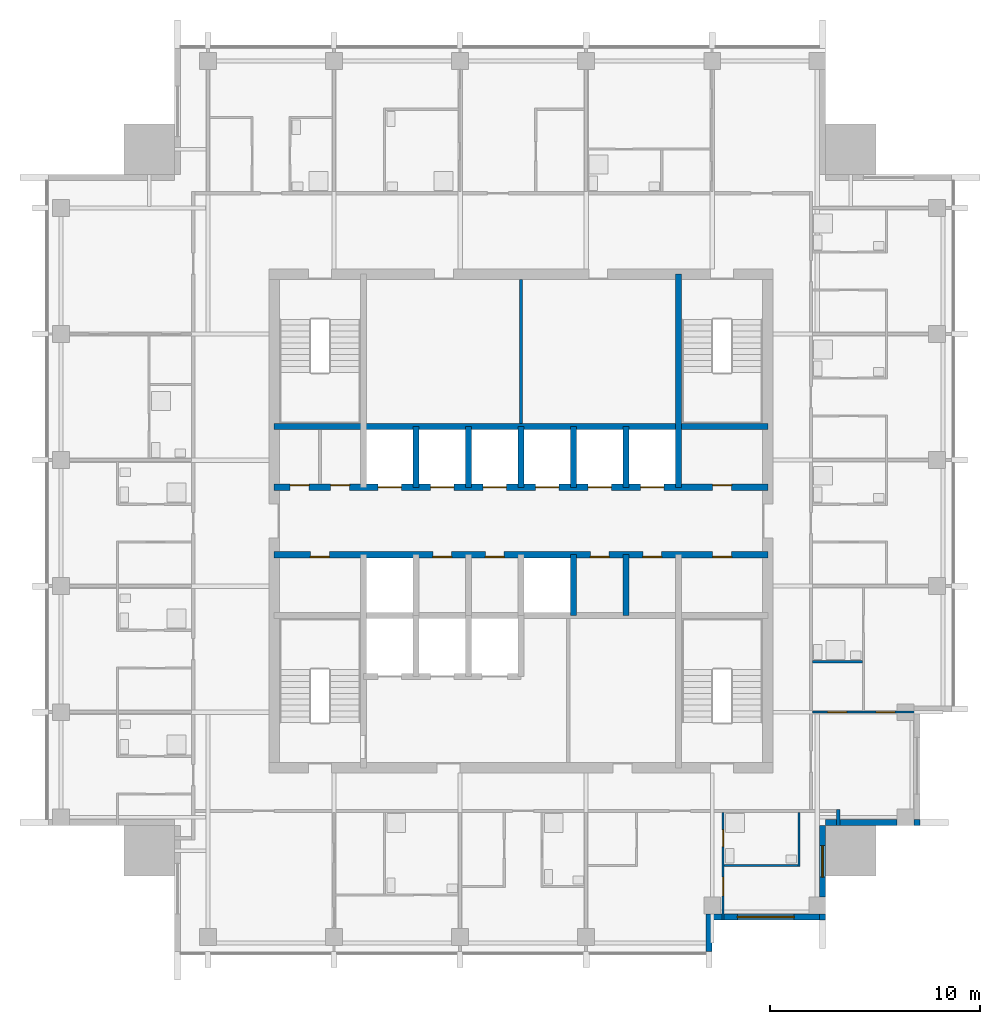
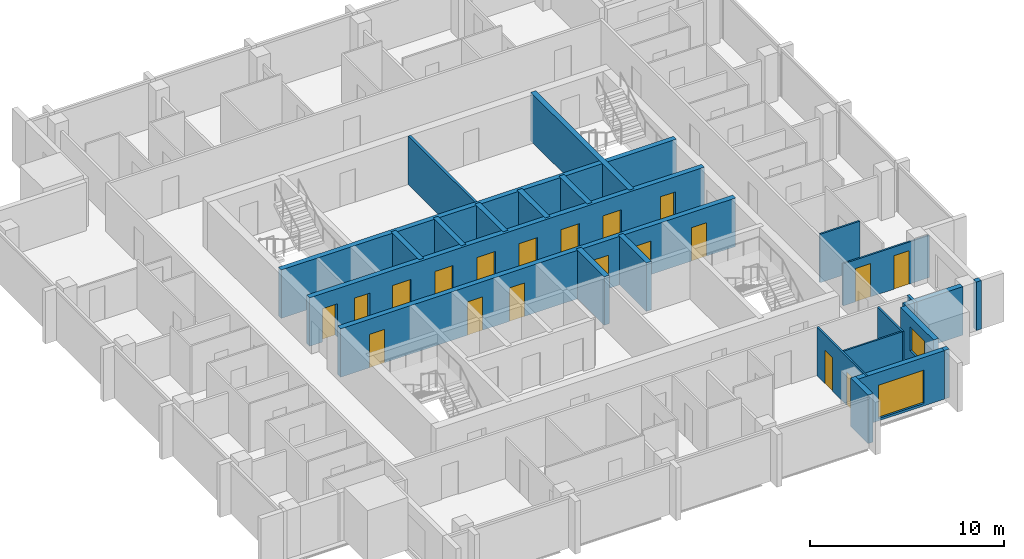
# One storey, part 5 of 9: 24 walls, 19 doors, 2 windows, 21 openings.
"""IFC4 building model written with IfcOpenShell, lengths in metres."""

from ifc_helpers import new_model, si_unit, direction, frame, frame_2d, origin, place, context, subcontext, project, spatial, rectangle, extrude, material, layer, layer_set, type_object, element, fill, save


model = new_model("IFC4")

# Units and contexts
model_context = context("Model", 3, precision=1e-05, world=origin(), true_north=direction((0.0, 1.0)))
body_context = subcontext(model_context, "Body", "Model", "MODEL_VIEW")
ifc_project = project(units=[si_unit("LENGTHUNIT", "METRE"), si_unit("AREAUNIT", "SQUARE_METRE"), si_unit("VOLUMEUNIT", "CUBIC_METRE"), si_unit("PLANEANGLEUNIT", "RADIAN"), si_unit("MASSUNIT", "GRAM", prefix="KILO")], contexts=[model_context])

# Site, building, storey
site_placement = place(None, origin())
site = spatial("IfcSite", under=ifc_project, at=site_placement, CompositionType="ELEMENT")
building_placement = place(site_placement, origin())
building = spatial("IfcBuilding", under=site, at=building_placement, Name="Amberfall Residences", CompositionType="ELEMENT")
storey_placement = place(building_placement, frame((0.0, 0.0, 242.199951171875)))
storey = spatial("IfcBuildingStorey", under=building, at=storey_placement, Name="L64", CompositionType="ELEMENT", Elevation=242.199951171875)

# Walls
ifc_material_1 = material(Name="Pale stone cladding on insulated backing", Category="masonry")
ifc_layer_1 = layer(ifc_material_1, 0.300048828125)
ifc_layer_set_1 = layer_set([ifc_layer_1], Name="Bronze clad wall 300")
wall_type_1 = type_object("IfcWallType", Name="Bronze clad wall 300", PredefinedType="SOLIDWALL", material=ifc_layer_set_1)
wall_1_placement = place(storey_placement, frame((83.449951171875, 25.0, 0.0), z_axis=(0.0, 0.0, 1.0), x_axis=(0.0, 1.0, 0.0)))
element("IfcWall", 1, at=wall_1_placement, inside=storey, type_object=wall_type_1, Name="External wall L64 S", PredefinedType="SOLIDWALL", context=body_context, shape_type="SweptSolid", body=[
    extrude(rectangle(XDim=1.800048828125, YDim=0.300048828125, at=frame_2d((0.89990234375, 0.0))), origin(), (0.0, 0.0, 1.0), 3.050048828125),
])
wall_2_placement = place(storey_placement, frame((88.85009765625, 26.5, 0.0), z_axis=(0.0, 0.0, 1.0), x_axis=(0.0, 1.0, 0.0)))
element("IfcWall", 2, at=wall_2_placement, inside=storey, type_object=wall_type_1, Name="External wall L64 SE", PredefinedType="SOLIDWALL", context=body_context, shape_type="SweptSolid", body=[
    extrude(rectangle(XDim=0.300048828125, YDim=0.300048828125, at=frame_2d((0.14990234375, 0.0))), origin(), (0.0, 0.0, 1.0), 3.050048828125),
])

# Wall, opening, window
wall_3_placement = place(storey_placement, frame((88.85009765625, 27.60009765625, 0.0), z_axis=(0.0, 0.0, 1.0), x_axis=(0.0, 1.0, 0.0)))
wall_3 = element("IfcWall", 3, at=wall_3_placement, inside=storey, type_object=wall_type_1, Name="External wall L64 SE", PredefinedType="SOLIDWALL", context=body_context, shape_type="SweptSolid", body=[
    extrude(rectangle(XDim=3.39990234375, YDim=0.300048828125, at=frame_2d((1.699951171875, 0.0))), origin(), (0.0, 0.0, 1.0), 3.050048828125),
])
opening_1_placement = place(wall_3_placement, frame((0.949951171875, 0.0, 0.89990234375)))
opening_1 = element("IfcOpeningElement", 4, at=opening_1_placement, cuts=wall_3, Name="Opening WN1", PredefinedType="OPENING", context=body_context, shape_type="SweptSolid", body=[
    extrude(rectangle(XDim=1.5, YDim=1.5, at=frame_2d((0.75, 0.75))), frame((0.0, 0.159912109375, 0.0), z_axis=(0.0, -1.0, 0.0), x_axis=(1.0, 0.0, 0.0)), (0.0, 0.0, 1.0), 0.320068359375),
])
ifc_material_2 = material(Name="Bronze aluminium framed glazing", Category="aluminium")
window_type_1 = type_object("IfcWindowType", Name="Window 1500 x 1500 bronze", PartitioningType="DOUBLE_PANEL_VERTICAL", PredefinedType="WINDOW", material=ifc_material_2)
window_1_placement = place(opening_1_placement, origin())
window_1 = element("IfcWindow", 5, at=window_1_placement, inside=storey, type_object=window_type_1, Name="Window L64 SE", OverallHeight=1.5, OverallWidth=1.5, PartitioningType="DOUBLE_PANEL_VERTICAL", PredefinedType="WINDOW", context=body_context, shape_type="SweptSolid", body=[
    extrude(rectangle(XDim=1.5, YDim=1.5, at=frame_2d((0.75, 0.75))), frame((0.0, 0.030029296875, 0.0), z_axis=(0.0, -1.0, 0.0), x_axis=(1.0, 0.0, 0.0)), (0.0, 0.0, 1.0), 0.06005859375),
])
fill(opening_1, window_1)

# Walls
wall_4_placement = place(storey_placement, frame((89.0, 31.14990234375, 0.0), z_axis=(0.0, 0.0, 1.0), x_axis=(1.0, 0.0, 0.0)))
element("IfcWall", 6, at=wall_4_placement, inside=storey, type_object=wall_type_1, Name="External wall L64 SE", PredefinedType="SOLIDWALL", context=body_context, shape_type="SweptSolid", body=[
    extrude(rectangle(XDim=3.39990234375, YDim=0.300048828125, at=frame_2d((1.699951171875, 0.0))), origin(), (0.0, 0.0, 1.0), 3.050048828125),
])
wall_5_placement = place(storey_placement, frame((93.199951171875, 31.14990234375, 0.0), z_axis=(0.0, 0.0, 1.0), x_axis=(1.0, 0.0, 0.0)))
element("IfcWall", 7, at=wall_5_placement, inside=storey, type_object=wall_type_1, Name="External wall L64 SE", PredefinedType="SOLIDWALL", context=body_context, shape_type="SweptSolid", body=[
    extrude(rectangle(XDim=0.300048828125, YDim=0.300048828125, at=frame_2d((0.14990234375, 0.0))), origin(), (0.0, 0.0, 1.0), 3.050048828125),
])

# Wall, opening, window
wall_6_placement = place(storey_placement, frame((83.60009765625, 26.64990234375, 0.0), z_axis=(0.0, 0.0, 1.0), x_axis=(1.0, 0.0, 0.0)))
wall_6 = element("IfcWall", 8, at=wall_6_placement, inside=storey, type_object=wall_type_1, Name="Stone wall L64 S", PredefinedType="SOLIDWALL", context=body_context, shape_type="SweptSolid", body=[
    extrude(rectangle(XDim=5.099853515625, YDim=0.300048828125, at=frame_2d((2.5498046875, 0.0))), origin(), (0.0, 0.0, 1.0), 3.050048828125),
])
opening_2_placement = place(wall_6_placement, frame((1.199951171875, 0.0, 0.14990234375)))
opening_2 = element("IfcOpeningElement", 9, at=opening_2_placement, cuts=wall_6, Name="Opening WN4", PredefinedType="OPENING", context=body_context, shape_type="SweptSolid", body=[
    extrude(rectangle(XDim=2.699951171875, YDim=2.10009765625, at=frame_2d((1.35009765625, 1.050048828125))), frame((0.0, 0.159912109375, 0.0), z_axis=(0.0, -1.0, 0.0), x_axis=(1.0, 0.0, 0.0)), (0.0, 0.0, 1.0), 0.320068359375),
])
window_type_2 = type_object("IfcWindowType", Name="Glazed opening 2700 x 2100 bronze", PartitioningType="DOUBLE_PANEL_VERTICAL", PredefinedType="WINDOW", material=ifc_material_2)
window_2_placement = place(opening_2_placement, origin())
window_2 = element("IfcWindow", 10, at=window_2_placement, inside=storey, type_object=window_type_2, Name="Window L64 S", OverallHeight=2.10009765625, OverallWidth=2.699951171875, PartitioningType="DOUBLE_PANEL_VERTICAL", PredefinedType="WINDOW", context=body_context, shape_type="SweptSolid", body=[
    extrude(rectangle(XDim=2.699951171875, YDim=2.10009765625, at=frame_2d((1.35009765625, 1.050048828125))), frame((0.0, 0.030029296875, 0.0), z_axis=(0.0, -1.0, 0.0), x_axis=(1.0, 0.0, 0.0)), (0.0, 0.0, 1.0), 0.06005859375),
])
fill(opening_2, window_2)

# Wall, openings, doors
ifc_material_3 = material(Name="Concrete C50", Category="concrete")
ifc_layer_2 = layer(ifc_material_3, 0.300048828125)
ifc_layer_set_2 = layer_set([ifc_layer_2], Name="Core wall 300 C50")
wall_type_2 = type_object("IfcWallType", Name="Core wall 300 C50", PredefinedType="SHEAR", material=ifc_layer_set_2)
wall_7_placement = place(storey_placement, frame((62.75, 43.89990234375, 0.0), z_axis=(0.0, 0.0, 1.0), x_axis=(1.0, 0.0, 0.0)))
wall_7 = element("IfcWall", 11, at=wall_7_placement, inside=storey, type_object=wall_type_2, Name="Core wall RW10 L64 H104", PredefinedType="SHEAR", context=body_context, shape_type="SweptSolid", body=[
    extrude(rectangle(XDim=23.5, YDim=0.300048828125, at=frame_2d((11.75, 0.0))), origin(), (0.0, 0.0, 1.0), 3.050048828125),
])
opening_3_placement = place(wall_7_placement, frame((1.72509765625, 0.0, 0.0)))
opening_3 = element("IfcOpeningElement", 12, at=opening_3_placement, cuts=wall_7, Name="Opening RD1", PredefinedType="OPENING", context=body_context, shape_type="SweptSolid", body=[
    extrude(rectangle(XDim=0.89990234375, YDim=2.10009765625, at=frame_2d((0.449951171875, 1.050048828125))), frame((0.0, 0.159912109375, 0.0), z_axis=(0.0, -1.0, 0.0), x_axis=(1.0, 0.0, 0.0)), (0.0, 0.0, 1.0), 0.320068359375),
])
opening_4_placement = place(wall_7_placement, frame((20.875, 0.0, 0.0)))
opening_4 = element("IfcOpeningElement", 13, at=opening_4_placement, cuts=wall_7, Name="Opening RD1", PredefinedType="OPENING", context=body_context, shape_type="SweptSolid", body=[
    extrude(rectangle(XDim=0.89990234375, YDim=2.10009765625, at=frame_2d((0.449951171875, 1.050048828125))), frame((0.0, 0.159912109375, 0.0), z_axis=(0.0, -1.0, 0.0), x_axis=(1.0, 0.0, 0.0)), (0.0, 0.0, 1.0), 0.320068359375),
])
opening_5_placement = place(wall_7_placement, frame((7.550048828125, 0.0, 0.0)))
opening_5 = element("IfcOpeningElement", 14, at=opening_5_placement, cuts=wall_7, Name="Opening RD1", PredefinedType="OPENING", context=body_context, shape_type="SweptSolid", body=[
    extrude(rectangle(XDim=0.89990234375, YDim=2.10009765625, at=frame_2d((0.449951171875, 1.050048828125))), frame((0.0, 0.159912109375, 0.0), z_axis=(0.0, -1.0, 0.0), x_axis=(1.0, 0.0, 0.0)), (0.0, 0.0, 1.0), 0.320068359375),
])
opening_6_placement = place(wall_7_placement, frame((10.050048828125, 0.0, 0.0)))
opening_6 = element("IfcOpeningElement", 15, at=opening_6_placement, cuts=wall_7, Name="Opening RD1", PredefinedType="OPENING", context=body_context, shape_type="SweptSolid", body=[
    extrude(rectangle(XDim=0.89990234375, YDim=2.10009765625, at=frame_2d((0.449951171875, 1.050048828125))), frame((0.0, 0.159912109375, 0.0), z_axis=(0.0, -1.0, 0.0), x_axis=(1.0, 0.0, 0.0)), (0.0, 0.0, 1.0), 0.320068359375),
])
opening_7_placement = place(wall_7_placement, frame((15.050048828125, 0.0, 0.0)))
opening_7 = element("IfcOpeningElement", 16, at=opening_7_placement, cuts=wall_7, Name="Opening RD1", PredefinedType="OPENING", context=body_context, shape_type="SweptSolid", body=[
    extrude(rectangle(XDim=0.89990234375, YDim=2.10009765625, at=frame_2d((0.449951171875, 1.050048828125))), frame((0.0, 0.159912109375, 0.0), z_axis=(0.0, -1.0, 0.0), x_axis=(1.0, 0.0, 0.0)), (0.0, 0.0, 1.0), 0.320068359375),
])
opening_8_placement = place(wall_7_placement, frame((17.550048828125, 0.0, 0.0)))
opening_8 = element("IfcOpeningElement", 17, at=opening_8_placement, cuts=wall_7, Name="Opening RD1", PredefinedType="OPENING", context=body_context, shape_type="SweptSolid", body=[
    extrude(rectangle(XDim=0.89990234375, YDim=2.10009765625, at=frame_2d((0.449951171875, 1.050048828125))), frame((0.0, 0.159912109375, 0.0), z_axis=(0.0, -1.0, 0.0), x_axis=(1.0, 0.0, 0.0)), (0.0, 0.0, 1.0), 0.320068359375),
])
ifc_material_4 = material(Name="Steel fire door set", Category="steel")
door_type_1 = type_object("IfcDoorType", Name="Service room door 900 x 2100", OperationType="SINGLE_SWING_LEFT", PredefinedType="DOOR", material=ifc_material_4)
door_1_placement = place(opening_3_placement, origin())
door_1 = element("IfcDoor", 18, at=door_1_placement, inside=storey, type_object=door_type_1, Name="RD1 L64", OperationType="SINGLE_SWING_LEFT", OverallHeight=2.10009765625, OverallWidth=0.89990234375, PredefinedType="DOOR", context=body_context, shape_type="SweptSolid", body=[
    extrude(rectangle(XDim=0.89990234375, YDim=2.10009765625, at=frame_2d((0.449951171875, 1.050048828125))), frame((0.0, -0.08740234375, 0.0), z_axis=(0.0, -1.0, 0.0), x_axis=(1.0, 0.0, 0.0)), (0.0, 0.0, 1.0), 0.050048828125),
])
fill(opening_3, door_1)
door_2_placement = place(opening_4_placement, origin())
door_2 = element("IfcDoor", 19, at=door_2_placement, inside=storey, type_object=door_type_1, Name="RD1 L64", OperationType="SINGLE_SWING_LEFT", OverallHeight=2.10009765625, OverallWidth=0.89990234375, PredefinedType="DOOR", context=body_context, shape_type="SweptSolid", body=[
    extrude(rectangle(XDim=0.89990234375, YDim=2.10009765625, at=frame_2d((0.449951171875, 1.050048828125))), frame((0.0, -0.08740234375, 0.0), z_axis=(0.0, -1.0, 0.0), x_axis=(1.0, 0.0, 0.0)), (0.0, 0.0, 1.0), 0.050048828125),
])
fill(opening_4, door_2)
door_3_placement = place(opening_5_placement, origin())
door_3 = element("IfcDoor", 20, at=door_3_placement, inside=storey, type_object=door_type_1, Name="RD1 L64", OperationType="SINGLE_SWING_LEFT", OverallHeight=2.10009765625, OverallWidth=0.89990234375, PredefinedType="DOOR", context=body_context, shape_type="SweptSolid", body=[
    extrude(rectangle(XDim=0.89990234375, YDim=2.10009765625, at=frame_2d((0.449951171875, 1.050048828125))), frame((0.0, -0.08740234375, 0.0), z_axis=(0.0, -1.0, 0.0), x_axis=(1.0, 0.0, 0.0)), (0.0, 0.0, 1.0), 0.050048828125),
])
fill(opening_5, door_3)
door_4_placement = place(opening_6_placement, origin())
door_4 = element("IfcDoor", 21, at=door_4_placement, inside=storey, type_object=door_type_1, Name="RD1 L64", OperationType="SINGLE_SWING_RIGHT", OverallHeight=2.10009765625, OverallWidth=0.89990234375, PredefinedType="DOOR", context=body_context, shape_type="SweptSolid", body=[
    extrude(rectangle(XDim=0.89990234375, YDim=2.10009765625, at=frame_2d((0.449951171875, 1.050048828125))), frame((0.0, -0.08740234375, 0.0), z_axis=(0.0, -1.0, 0.0), x_axis=(1.0, 0.0, 0.0)), (0.0, 0.0, 1.0), 0.050048828125),
])
fill(opening_6, door_4)
door_5_placement = place(opening_7_placement, origin())
door_5 = element("IfcDoor", 22, at=door_5_placement, inside=storey, type_object=door_type_1, Name="RD1 L64", OperationType="SINGLE_SWING_RIGHT", OverallHeight=2.10009765625, OverallWidth=0.89990234375, PredefinedType="DOOR", context=body_context, shape_type="SweptSolid", body=[
    extrude(rectangle(XDim=0.89990234375, YDim=2.10009765625, at=frame_2d((0.449951171875, 1.050048828125))), frame((0.0, -0.08740234375, 0.0), z_axis=(0.0, -1.0, 0.0), x_axis=(1.0, 0.0, 0.0)), (0.0, 0.0, 1.0), 0.050048828125),
])
fill(opening_7, door_5)
door_6_placement = place(opening_8_placement, origin())
door_6 = element("IfcDoor", 23, at=door_6_placement, inside=storey, type_object=door_type_1, Name="RD1 L64", OperationType="SINGLE_SWING_LEFT", OverallHeight=2.10009765625, OverallWidth=0.89990234375, PredefinedType="DOOR", context=body_context, shape_type="SweptSolid", body=[
    extrude(rectangle(XDim=0.89990234375, YDim=2.10009765625, at=frame_2d((0.449951171875, 1.050048828125))), frame((0.0, -0.08740234375, 0.0), z_axis=(0.0, -1.0, 0.0), x_axis=(1.0, 0.0, 0.0)), (0.0, 0.0, 1.0), 0.050048828125),
])
fill(opening_8, door_6)

wall_8_placement = place(storey_placement, frame((62.75, 47.10009765625, 0.0), z_axis=(0.0, 0.0, 1.0), x_axis=(1.0, 0.0, 0.0)))
wall_8 = element("IfcWall", 24, at=wall_8_placement, inside=storey, type_object=wall_type_2, Name="Core wall RW10 L64 H136", PredefinedType="SHEAR", context=body_context, shape_type="SweptSolid", body=[
    extrude(rectangle(XDim=23.5, YDim=0.300048828125, at=frame_2d((11.75, 0.0))), origin(), (0.0, 0.0, 1.0), 3.050048828125),
])
opening_9_placement = place(wall_8_placement, frame((0.762451171875, 0.0, 0.0)))
opening_9 = element("IfcOpeningElement", 25, at=opening_9_placement, cuts=wall_8, Name="Opening RD1", PredefinedType="OPENING", context=body_context, shape_type="SweptSolid", body=[
    extrude(rectangle(XDim=0.89990234375, YDim=2.10009765625, at=frame_2d((0.449951171875, 1.050048828125))), frame((0.0, 0.159912109375, 0.0), z_axis=(0.0, -1.0, 0.0), x_axis=(1.0, 0.0, 0.0)), (0.0, 0.0, 1.0), 0.320068359375),
])
opening_10_placement = place(wall_8_placement, frame((2.6875, 0.0, 0.0)))
opening_10 = element("IfcOpeningElement", 26, at=opening_10_placement, cuts=wall_8, Name="Opening RD1", PredefinedType="OPENING", context=body_context, shape_type="SweptSolid", body=[
    extrude(rectangle(XDim=0.89990234375, YDim=2.10009765625, at=frame_2d((0.449951171875, 1.050048828125))), frame((0.0, 0.159912109375, 0.0), z_axis=(0.0, -1.0, 0.0), x_axis=(1.0, 0.0, 0.0)), (0.0, 0.0, 1.0), 0.320068359375),
])
opening_11_placement = place(wall_8_placement, frame((20.875, 0.0, 0.0)))
opening_11 = element("IfcOpeningElement", 27, at=opening_11_placement, cuts=wall_8, Name="Opening RD1", PredefinedType="OPENING", context=body_context, shape_type="SweptSolid", body=[
    extrude(rectangle(XDim=0.89990234375, YDim=2.10009765625, at=frame_2d((0.449951171875, 1.050048828125))), frame((0.0, 0.159912109375, 0.0), z_axis=(0.0, -1.0, 0.0), x_axis=(1.0, 0.0, 0.0)), (0.0, 0.0, 1.0), 0.320068359375),
])
opening_12_placement = place(wall_8_placement, frame((4.949951171875, 0.0, 0.0)))
opening_12 = element("IfcOpeningElement", 28, at=opening_12_placement, cuts=wall_8, Name="Opening LD1", PredefinedType="OPENING", context=body_context, shape_type="SweptSolid", body=[
    extrude(rectangle(XDim=1.10009765625, YDim=2.10009765625, at=frame_2d((0.550048828125, 1.050048828125))), frame((0.0, 0.159912109375, 0.0), z_axis=(0.0, -1.0, 0.0), x_axis=(1.0, 0.0, 0.0)), (0.0, 0.0, 1.0), 0.320068359375),
])
opening_13_placement = place(wall_8_placement, frame((7.449951171875, 0.0, 0.0)))
opening_13 = element("IfcOpeningElement", 29, at=opening_13_placement, cuts=wall_8, Name="Opening LD1", PredefinedType="OPENING", context=body_context, shape_type="SweptSolid", body=[
    extrude(rectangle(XDim=1.10009765625, YDim=2.10009765625, at=frame_2d((0.550048828125, 1.050048828125))), frame((0.0, 0.159912109375, 0.0), z_axis=(0.0, -1.0, 0.0), x_axis=(1.0, 0.0, 0.0)), (0.0, 0.0, 1.0), 0.320068359375),
])
opening_14_placement = place(wall_8_placement, frame((9.949951171875, 0.0, 0.0)))
opening_14 = element("IfcOpeningElement", 30, at=opening_14_placement, cuts=wall_8, Name="Opening LD1", PredefinedType="OPENING", context=body_context, shape_type="SweptSolid", body=[
    extrude(rectangle(XDim=1.10009765625, YDim=2.10009765625, at=frame_2d((0.550048828125, 1.050048828125))), frame((0.0, 0.159912109375, 0.0), z_axis=(0.0, -1.0, 0.0), x_axis=(1.0, 0.0, 0.0)), (0.0, 0.0, 1.0), 0.320068359375),
])
opening_15_placement = place(wall_8_placement, frame((12.449951171875, 0.0, 0.0)))
opening_15 = element("IfcOpeningElement", 31, at=opening_15_placement, cuts=wall_8, Name="Opening LD1", PredefinedType="OPENING", context=body_context, shape_type="SweptSolid", body=[
    extrude(rectangle(XDim=1.10009765625, YDim=2.10009765625, at=frame_2d((0.550048828125, 1.050048828125))), frame((0.0, 0.159912109375, 0.0), z_axis=(0.0, -1.0, 0.0), x_axis=(1.0, 0.0, 0.0)), (0.0, 0.0, 1.0), 0.320068359375),
])
opening_16_placement = place(wall_8_placement, frame((14.949951171875, 0.0, 0.0)))
opening_16 = element("IfcOpeningElement", 32, at=opening_16_placement, cuts=wall_8, Name="Opening LD1", PredefinedType="OPENING", context=body_context, shape_type="SweptSolid", body=[
    extrude(rectangle(XDim=1.10009765625, YDim=2.10009765625, at=frame_2d((0.550048828125, 1.050048828125))), frame((0.0, 0.159912109375, 0.0), z_axis=(0.0, -1.0, 0.0), x_axis=(1.0, 0.0, 0.0)), (0.0, 0.0, 1.0), 0.320068359375),
])
opening_17_placement = place(wall_8_placement, frame((17.449951171875, 0.0, 0.0)))
opening_17 = element("IfcOpeningElement", 33, at=opening_17_placement, cuts=wall_8, Name="Opening LD1", PredefinedType="OPENING", context=body_context, shape_type="SweptSolid", body=[
    extrude(rectangle(XDim=1.10009765625, YDim=2.10009765625, at=frame_2d((0.550048828125, 1.050048828125))), frame((0.0, 0.159912109375, 0.0), z_axis=(0.0, -1.0, 0.0), x_axis=(1.0, 0.0, 0.0)), (0.0, 0.0, 1.0), 0.320068359375),
])
door_type_2 = type_object("IfcDoorType", Name="Lift landing door 1100 x 2100", OperationType="DOUBLE_DOOR_SLIDING", PredefinedType="DOOR", material=ifc_material_4)
door_7_placement = place(opening_12_placement, origin())
door_7 = element("IfcDoor", 34, at=door_7_placement, inside=storey, type_object=door_type_2, Name="Landing door HP1 L64", OperationType="DOUBLE_DOOR_SLIDING", OverallHeight=2.10009765625, OverallWidth=1.10009765625, PredefinedType="DOOR", context=body_context, shape_type="SweptSolid", body=[
    extrude(rectangle(XDim=1.10009765625, YDim=2.10009765625, at=frame_2d((0.550048828125, 1.050048828125))), frame((0.0, 0.02490234375, 0.0), z_axis=(0.0, -1.0, 0.0), x_axis=(1.0, 0.0, 0.0)), (0.0, 0.0, 1.0), 0.050048828125),
])
fill(opening_12, door_7)
door_8_placement = place(opening_13_placement, origin())
door_8 = element("IfcDoor", 35, at=door_8_placement, inside=storey, type_object=door_type_2, Name="Landing door HP2 L64", OperationType="DOUBLE_DOOR_SLIDING", OverallHeight=2.10009765625, OverallWidth=1.10009765625, PredefinedType="DOOR", context=body_context, shape_type="SweptSolid", body=[
    extrude(rectangle(XDim=1.10009765625, YDim=2.10009765625, at=frame_2d((0.550048828125, 1.050048828125))), frame((0.0, 0.02490234375, 0.0), z_axis=(0.0, -1.0, 0.0), x_axis=(1.0, 0.0, 0.0)), (0.0, 0.0, 1.0), 0.050048828125),
])
fill(opening_13, door_8)
door_9_placement = place(opening_14_placement, origin())
door_9 = element("IfcDoor", 36, at=door_9_placement, inside=storey, type_object=door_type_2, Name="Landing door HP3 L64", OperationType="DOUBLE_DOOR_SLIDING", OverallHeight=2.10009765625, OverallWidth=1.10009765625, PredefinedType="DOOR", context=body_context, shape_type="SweptSolid", body=[
    extrude(rectangle(XDim=1.10009765625, YDim=2.10009765625, at=frame_2d((0.550048828125, 1.050048828125))), frame((0.0, 0.02490234375, 0.0), z_axis=(0.0, -1.0, 0.0), x_axis=(1.0, 0.0, 0.0)), (0.0, 0.0, 1.0), 0.050048828125),
])
fill(opening_14, door_9)
door_10_placement = place(opening_15_placement, origin())
door_10 = element("IfcDoor", 37, at=door_10_placement, inside=storey, type_object=door_type_2, Name="Landing door HP4 L64", OperationType="DOUBLE_DOOR_SLIDING", OverallHeight=2.10009765625, OverallWidth=1.10009765625, PredefinedType="DOOR", context=body_context, shape_type="SweptSolid", body=[
    extrude(rectangle(XDim=1.10009765625, YDim=2.10009765625, at=frame_2d((0.550048828125, 1.050048828125))), frame((0.0, 0.02490234375, 0.0), z_axis=(0.0, -1.0, 0.0), x_axis=(1.0, 0.0, 0.0)), (0.0, 0.0, 1.0), 0.050048828125),
])
fill(opening_15, door_10)
door_11_placement = place(opening_16_placement, origin())
door_11 = element("IfcDoor", 38, at=door_11_placement, inside=storey, type_object=door_type_2, Name="Landing door HP5 L64", OperationType="DOUBLE_DOOR_SLIDING", OverallHeight=2.10009765625, OverallWidth=1.10009765625, PredefinedType="DOOR", context=body_context, shape_type="SweptSolid", body=[
    extrude(rectangle(XDim=1.10009765625, YDim=2.10009765625, at=frame_2d((0.550048828125, 1.050048828125))), frame((0.0, 0.02490234375, 0.0), z_axis=(0.0, -1.0, 0.0), x_axis=(1.0, 0.0, 0.0)), (0.0, 0.0, 1.0), 0.050048828125),
])
fill(opening_16, door_11)
door_12_placement = place(opening_17_placement, origin())
door_12 = element("IfcDoor", 39, at=door_12_placement, inside=storey, type_object=door_type_2, Name="Landing door HP6 L64", OperationType="DOUBLE_DOOR_SLIDING", OverallHeight=2.10009765625, OverallWidth=1.10009765625, PredefinedType="DOOR", context=body_context, shape_type="SweptSolid", body=[
    extrude(rectangle(XDim=1.10009765625, YDim=2.10009765625, at=frame_2d((0.550048828125, 1.050048828125))), frame((0.0, 0.02490234375, 0.0), z_axis=(0.0, -1.0, 0.0), x_axis=(1.0, 0.0, 0.0)), (0.0, 0.0, 1.0), 0.050048828125),
])
fill(opening_17, door_12)
door_13_placement = place(opening_9_placement, origin())
door_13 = element("IfcDoor", 40, at=door_13_placement, inside=storey, type_object=door_type_1, Name="RD1 L64", OperationType="SINGLE_SWING_LEFT", OverallHeight=2.10009765625, OverallWidth=0.89990234375, PredefinedType="DOOR", context=body_context, shape_type="SweptSolid", body=[
    extrude(rectangle(XDim=0.89990234375, YDim=2.10009765625, at=frame_2d((0.449951171875, 1.050048828125))), frame((0.0, 0.1376953125, 0.0), z_axis=(0.0, -1.0, 0.0), x_axis=(1.0, 0.0, 0.0)), (0.0, 0.0, 1.0), 0.050048828125),
])
fill(opening_9, door_13)
door_14_placement = place(opening_10_placement, origin())
door_14 = element("IfcDoor", 41, at=door_14_placement, inside=storey, type_object=door_type_1, Name="RD1 L64", OperationType="SINGLE_SWING_RIGHT", OverallHeight=2.10009765625, OverallWidth=0.89990234375, PredefinedType="DOOR", context=body_context, shape_type="SweptSolid", body=[
    extrude(rectangle(XDim=0.89990234375, YDim=2.10009765625, at=frame_2d((0.449951171875, 1.050048828125))), frame((0.0, 0.1376953125, 0.0), z_axis=(0.0, -1.0, 0.0), x_axis=(1.0, 0.0, 0.0)), (0.0, 0.0, 1.0), 0.050048828125),
])
fill(opening_10, door_14)
door_15_placement = place(opening_11_placement, origin())
door_15 = element("IfcDoor", 42, at=door_15_placement, inside=storey, type_object=door_type_1, Name="RD1 L64", OperationType="SINGLE_SWING_LEFT", OverallHeight=2.10009765625, OverallWidth=0.89990234375, PredefinedType="DOOR", context=body_context, shape_type="SweptSolid", body=[
    extrude(rectangle(XDim=0.89990234375, YDim=2.10009765625, at=frame_2d((0.449951171875, 1.050048828125))), frame((0.0, 0.1376953125, 0.0), z_axis=(0.0, -1.0, 0.0), x_axis=(1.0, 0.0, 0.0)), (0.0, 0.0, 1.0), 0.050048828125),
])
fill(opening_11, door_15)

# Walls
wall_9_placement = place(storey_placement, frame((62.75, 50.0, 0.0), z_axis=(0.0, 0.0, 1.0), x_axis=(1.0, 0.0, 0.0)))
element("IfcWall", 43, at=wall_9_placement, inside=storey, type_object=wall_type_2, Name="Core wall RW10 L64 H165", PredefinedType="SHEAR", context=body_context, shape_type="SweptSolid", body=[
    extrude(rectangle(XDim=23.5, YDim=0.300048828125, at=frame_2d((11.75, 0.0))), origin(), (0.0, 0.0, 1.0), 3.050048828125),
])
wall_10_placement = place(storey_placement, frame((82.0, 47.10009765625, 0.0), z_axis=(0.0, 0.0, 1.0), x_axis=(0.0, 1.0, 0.0)))
element("IfcWall", 44, at=wall_10_placement, inside=storey, type_object=wall_type_2, Name="Core wall RW10 L64 V195N", PredefinedType="SHEAR", context=body_context, shape_type="SweptSolid", body=[
    extrude(rectangle(XDim=10.14990234375, YDim=0.300048828125, at=frame_2d((5.074951171875, 0.0))), origin(), (0.0, 0.0, 1.0), 3.050048828125),
])
for number, where, z_axis, x_axis, name in (
    (45, (69.5, 47.10009765625, 0.0), (0.0, 0.0, 1.0), (0.0, 1.0, 0.0), "Core wall RW10 L64 HPD1"),
    (46, (72.0, 47.10009765625, 0.0), (0.0, 0.0, 1.0), (0.0, 1.0, 0.0), "Core wall RW10 L64 HPD2"),
    (47, (74.5, 47.10009765625, 0.0), (0.0, 0.0, 1.0), (0.0, 1.0, 0.0), "Core wall RW10 L64 HPD3"),
    (48, (77.0, 41.0, 0.0), (0.0, 0.0, 1.0), (0.0, 1.0, 0.0), "Core wall RW10 L64 LPD4"),
    (49, (77.0, 47.10009765625, 0.0), (0.0, 0.0, 1.0), (0.0, 1.0, 0.0), "Core wall RW10 L64 HPD4"),
    (50, (79.5, 41.0, 0.0), (0.0, 0.0, 1.0), (0.0, 1.0, 0.0), "Core wall RW10 L64 LPD5"),
    (51, (79.5, 47.10009765625, 0.0), (0.0, 0.0, 1.0), (0.0, 1.0, 0.0), "Core wall RW10 L64 HPD5"),
):
    element("IfcWall", number, at=place(storey_placement, frame(where, z_axis=z_axis, x_axis=x_axis)), inside=storey, type_object=wall_type_2, Name=name, PredefinedType="SHEAR", context=body_context, shape_type="SweptSolid", body=[
        extrude(rectangle(XDim=2.89990234375, YDim=0.300048828125, at=frame_2d((1.449951171875, 0.0))), origin(), (0.0, 0.0, 1.0), 3.050048828125),
    ])

# Wall, openings, doors
ifc_material_5 = material(Name="Gypsum board on metal stud")
ifc_layer_3 = layer(ifc_material_5, 0.10009765625)
ifc_layer_set_3 = layer_set([ifc_layer_3], Name="Flat partition 100")
wall_type_3 = type_object("IfcWallType", Name="Flat partition 100", PredefinedType="PARTITIONING", material=ifc_layer_set_3)
wall_11_placement = place(storey_placement, frame((84.125, 31.625, 0.0), z_axis=(0.0, 0.0, 1.0), x_axis=(0.0, -1.0, 0.0)))
wall_11 = element("IfcWall", 52, at=wall_11_placement, inside=storey, type_object=wall_type_3, Name="Partition 018", PredefinedType="PARTITIONING", context=body_context, shape_type="SweptSolid", body=[
    extrude(rectangle(XDim=5.125, YDim=0.10009765625, at=frame_2d((2.5625, 0.0))), origin(), (0.0, 0.0, 1.0), 3.050048828125),
])
opening_18_placement = place(wall_11_placement, frame((3.074951171875, 0.0, 0.0)))
opening_18 = element("IfcOpeningElement", 53, at=opening_18_placement, cuts=wall_11, Name="Opening D41", PredefinedType="OPENING", context=body_context, shape_type="SweptSolid", body=[
    extrude(rectangle(XDim=0.89990234375, YDim=2.10009765625, at=frame_2d((0.449951171875, 1.050048828125))), frame((0.0, 0.06005859375, 0.0), z_axis=(0.0, -1.0, 0.0), x_axis=(1.0, 0.0, 0.0)), (0.0, 0.0, 1.0), 0.1201171875),
])
opening_19_placement = place(wall_11_placement, frame((0.824951171875, 0.0, 0.0)))
opening_19 = element("IfcOpeningElement", 54, at=opening_19_placement, cuts=wall_11, Name="Opening D42", PredefinedType="OPENING", context=body_context, shape_type="SweptSolid", body=[
    extrude(rectangle(XDim=0.800048828125, YDim=2.10009765625, at=frame_2d((0.39990234375, 1.050048828125))), frame((0.0, 0.06005859375, 0.0), z_axis=(0.0, -1.0, 0.0), x_axis=(1.0, 0.0, 0.0)), (0.0, 0.0, 1.0), 0.1201171875),
])
ifc_material_6 = material(Name="Timber", Category="wood")
door_type_3 = type_object("IfcDoorType", Name="Bathroom door 800 x 2100", OperationType="SINGLE_SWING_LEFT", PredefinedType="DOOR", material=ifc_material_6)
door_16_placement = place(opening_19_placement, origin())
door_16 = element("IfcDoor", 55, at=door_16_placement, inside=storey, type_object=door_type_3, Name="Door 6403 bath1", OperationType="SINGLE_SWING_LEFT", OverallHeight=2.10009765625, OverallWidth=0.800048828125, PredefinedType="DOOR", context=body_context, shape_type="SweptSolid", body=[
    extrude(rectangle(XDim=0.800048828125, YDim=2.10009765625, at=frame_2d((0.39990234375, 1.050048828125))), frame((0.0, 0.02490234375, 0.0), z_axis=(0.0, -1.0, 0.0), x_axis=(1.0, 0.0, 0.0)), (0.0, 0.0, 1.0), 0.050048828125),
])
fill(opening_19, door_16)
door_type_4 = type_object("IfcDoorType", Name="Internal door 900 x 2100", OperationType="SINGLE_SWING_LEFT", PredefinedType="DOOR", material=ifc_material_6)
door_17_placement = place(opening_18_placement, origin())
door_17 = element("IfcDoor", 56, at=door_17_placement, inside=storey, type_object=door_type_4, Name="Door 6403 bedroom1", OperationType="SINGLE_SWING_LEFT", OverallHeight=2.10009765625, OverallWidth=0.89990234375, PredefinedType="DOOR", context=body_context, shape_type="SweptSolid", body=[
    extrude(rectangle(XDim=0.89990234375, YDim=2.10009765625, at=frame_2d((0.449951171875, 1.050048828125))), frame((0.0, 0.02490234375, 0.0), z_axis=(0.0, -1.0, 0.0), x_axis=(1.0, 0.0, 0.0)), (0.0, 0.0, 1.0), 0.050048828125),
])
fill(opening_18, door_17)

# Walls
wall_12_placement = place(storey_placement, frame((87.72509765625, 29.050048828125, 0.0), z_axis=(0.0, 0.0, 1.0), x_axis=(0.0, 1.0, 0.0)))
element("IfcWall", 57, at=wall_12_placement, inside=storey, type_object=wall_type_3, Name="Partition 019", PredefinedType="PARTITIONING", context=body_context, shape_type="SweptSolid", body=[
    extrude(rectangle(XDim=2.574951171875, YDim=0.10009765625, at=frame_2d((1.28759765625, 0.0))), origin(), (0.0, 0.0, 1.0), 3.050048828125),
])
wall_13_placement = place(storey_placement, frame((88.375, 38.800048828125, 0.0), z_axis=(0.0, 0.0, 1.0), x_axis=(1.0, 0.0, 0.0)))
element("IfcWall", 58, at=wall_13_placement, inside=storey, type_object=wall_type_3, Name="Partition 041", PredefinedType="PARTITIONING", context=body_context, shape_type="SweptSolid", body=[
    extrude(rectangle(XDim=2.375, YDim=0.10009765625, at=frame_2d((1.1875, 0.0))), origin(), (0.0, 0.0, 1.0), 3.050048828125),
])

# Wall, openings, doors
wall_14_placement = place(storey_placement, frame((88.375, 36.39990234375, 0.0), z_axis=(0.0, 0.0, 1.0), x_axis=(1.0, 0.0, 0.0)))
wall_14 = element("IfcWall", 59, at=wall_14_placement, inside=storey, type_object=wall_type_3, Name="Partition 043", PredefinedType="PARTITIONING", context=body_context, shape_type="SweptSolid", body=[
    extrude(rectangle(XDim=5.125, YDim=0.10009765625, at=frame_2d((2.5625, 0.0))), origin(), (0.0, 0.0, 1.0), 2.64697265625),
])
opening_20_placement = place(wall_14_placement, frame((0.72509765625, 0.0, 0.0)))
opening_20 = element("IfcOpeningElement", 60, at=opening_20_placement, cuts=wall_14, Name="Opening D41", PredefinedType="OPENING", context=body_context, shape_type="SweptSolid", body=[
    extrude(rectangle(XDim=0.89990234375, YDim=2.10009765625, at=frame_2d((0.449951171875, 1.050048828125))), frame((0.0, 0.06005859375, 0.0), z_axis=(0.0, -1.0, 0.0), x_axis=(1.0, 0.0, 0.0)), (0.0, 0.0, 1.0), 0.1201171875),
])
opening_21_placement = place(wall_14_placement, frame((3.02490234375, 0.0, 0.0)))
opening_21 = element("IfcOpeningElement", 61, at=opening_21_placement, cuts=wall_14, Name="Opening D41", PredefinedType="OPENING", context=body_context, shape_type="SweptSolid", body=[
    extrude(rectangle(XDim=0.89990234375, YDim=2.10009765625, at=frame_2d((0.449951171875, 1.050048828125))), frame((0.0, 0.06005859375, 0.0), z_axis=(0.0, -1.0, 0.0), x_axis=(1.0, 0.0, 0.0)), (0.0, 0.0, 1.0), 0.1201171875),
])
door_18_placement = place(opening_20_placement, origin())
door_18 = element("IfcDoor", 62, at=door_18_placement, inside=storey, type_object=door_type_4, Name="Door 6404 kitchen", OperationType="SINGLE_SWING_LEFT", OverallHeight=2.10009765625, OverallWidth=0.89990234375, PredefinedType="DOOR", context=body_context, shape_type="SweptSolid", body=[
    extrude(rectangle(XDim=0.89990234375, YDim=2.10009765625, at=frame_2d((0.449951171875, 1.050048828125))), frame((0.0, 0.02490234375, 0.0), z_axis=(0.0, -1.0, 0.0), x_axis=(1.0, 0.0, 0.0)), (0.0, 0.0, 1.0), 0.050048828125),
])
fill(opening_20, door_18)
door_19_placement = place(opening_21_placement, origin())
door_19 = element("IfcDoor", 63, at=door_19_placement, inside=storey, type_object=door_type_4, Name="Door 6404 bedroom1", OperationType="SINGLE_SWING_LEFT", OverallHeight=2.10009765625, OverallWidth=0.89990234375, PredefinedType="DOOR", context=body_context, shape_type="SweptSolid", body=[
    extrude(rectangle(XDim=0.89990234375, YDim=2.10009765625, at=frame_2d((0.449951171875, 1.050048828125))), frame((0.0, 0.02490234375, 0.0), z_axis=(0.0, -1.0, 0.0), x_axis=(1.0, 0.0, 0.0)), (0.0, 0.0, 1.0), 0.050048828125),
])
fill(opening_21, door_19)

# Walls
wall_15_placement = place(storey_placement, frame((84.175048828125, 29.10009765625, 0.0), z_axis=(0.0, 0.0, 1.0), x_axis=(1.0, 0.0, 0.0)))
element("IfcWall", 64, at=wall_15_placement, inside=storey, type_object=wall_type_3, Name="Partition 047", PredefinedType="PARTITIONING", context=body_context, shape_type="SweptSolid", body=[
    extrude(rectangle(XDim=3.5, YDim=0.10009765625, at=frame_2d((1.75, 0.0))), origin(), (0.0, 0.0, 1.0), 3.050048828125),
])
ifc_material_7 = material(Name="Blockwork, plastered", Category="masonry")
ifc_layer_4 = layer(ifc_material_7, 0.14990234375)
ifc_layer_set_4 = layer_set([ifc_layer_4], Name="Flat separating wall 150")
wall_type_4 = type_object("IfcWallType", Name="Flat separating wall 150", PredefinedType="PARTITIONING", material=ifc_layer_set_4)
wall_16_placement = place(storey_placement, frame((89.60009765625, 31.0, 0.0), z_axis=(0.0, 0.0, 1.0), x_axis=(0.0, 1.0, 0.0)))
element("IfcWall", 65, at=wall_16_placement, inside=storey, type_object=wall_type_4, Name="Separating wall 058", PredefinedType="PARTITIONING", context=body_context, shape_type="SweptSolid", body=[
    extrude(rectangle(XDim=0.77490234375, YDim=0.14990234375, at=frame_2d((0.387451171875, 0.0))), origin(), (0.0, 0.0, 1.0), 3.050048828125),
])
ifc_material_8 = material(Name="Concrete blockwork", Category="masonry")
ifc_layer_5 = layer(ifc_material_8, 0.14990234375)
ifc_layer_set_5 = layer_set([ifc_layer_5], Name="Riser wall 150")
wall_type_5 = type_object("IfcWallType", Name="Riser wall 150", PredefinedType="PLUMBINGWALL", material=ifc_layer_set_5)
wall_17_placement = place(storey_placement, frame((74.5, 50.14990234375, 0.0), z_axis=(0.0, 0.0, 1.0), x_axis=(0.0, 1.0, 0.0)))
element("IfcWall", 66, at=wall_17_placement, inside=storey, type_object=wall_type_5, Name="L64 core wall N0", PredefinedType="PLUMBINGWALL", context=body_context, shape_type="SweptSolid", body=[
    extrude(rectangle(XDim=6.85009765625, YDim=0.14990234375, at=frame_2d((3.425048828125, 0.0))), origin(), (0.0, 0.0, 1.0), 3.050048828125),
])

save(model, "model.ifc")
